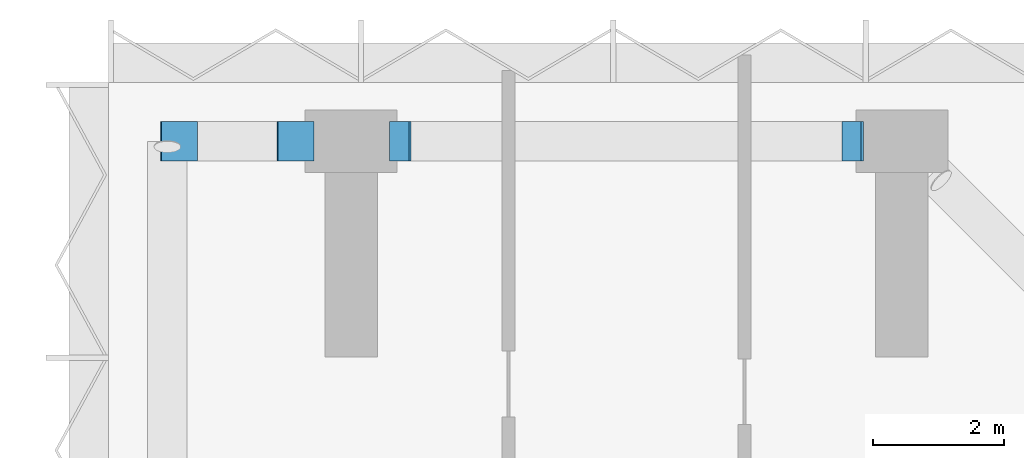
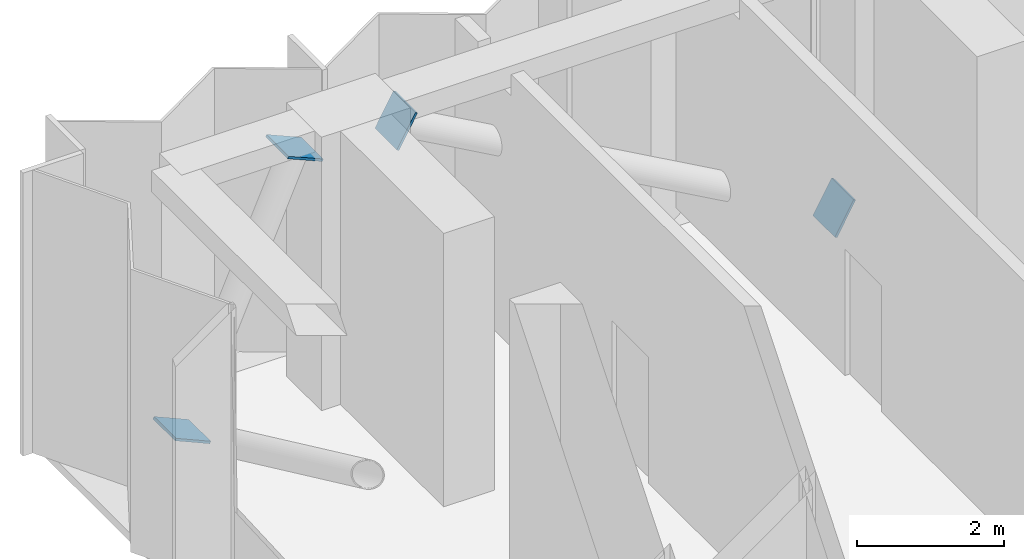
# One storey, part 8 of 13: 4 discrete accessories.
"""IFC4 building model written with IfcOpenShell, lengths in metres."""

from ifc_helpers import new_model, si_unit, direction, frame, origin, origin_2d, place, context, subcontext, project, spatial, rectangle, extrude, material, layer, layer_set, type_object, element, save


model = new_model("IFC4")

# Units and contexts
model_context = context("Model", 3, precision=1e-05, world=origin(), true_north=direction((0.0, 1.0)))
body_context = subcontext(model_context, "Body", "Model", "MODEL_VIEW")
ifc_project = project(units=[si_unit("LENGTHUNIT", "METRE"), si_unit("AREAUNIT", "SQUARE_METRE"), si_unit("VOLUMEUNIT", "CUBIC_METRE"), si_unit("PLANEANGLEUNIT", "RADIAN"), si_unit("MASSUNIT", "GRAM", prefix="KILO")], contexts=[model_context])

# Site, building, storey
site_placement = place(None, origin())
site = spatial("IfcSite", under=ifc_project, at=site_placement, CompositionType="ELEMENT")
building_placement = place(site_placement, origin())
building = spatial("IfcBuilding", under=site, at=building_placement, Name="Brevane Broadcast Tower", CompositionType="ELEMENT")
storey_placement = place(building_placement, frame((0.0, 0.0, 162.0)))
storey = spatial("IfcBuildingStorey", under=building, at=storey_placement, Name="L40", CompositionType="ELEMENT", Elevation=162.0)

# Discrete accessories
ifc_material = material(Name="Steel S355", Category="steel")
ifc_layer = layer(ifc_material, 0.0400390625)
ifc_layer_set = layer_set([ifc_layer], Name="Gusset plate 600x600x40 S355")
discrete_accessory_type = type_object("IfcDiscreteAccessoryType", Name="Gusset plate 600x600x40 S355", PredefinedType="ANCHORPLATE", material=ifc_layer_set)
discrete_accessory_1_placement = place(storey_placement, frame((16.0654296875, 50.39990234375, 0.15771484375), z_axis=(-0.871247627745, 0.0, 0.490843733941), x_axis=(0.0, -1.0, 0.0)))
element("IfcDiscreteAccessory", 1, at=discrete_accessory_1_placement, inside=storey, type_object=discrete_accessory_type, Name="Gusset plate GP2-23", PredefinedType="ANCHORPLATE", context=body_context, shape_type="SweptSolid", body=[
    extrude(rectangle(XDim=0.60009765625, YDim=0.60009765625, at=origin_2d()), origin(), (0.0, 0.0, 1.0), 0.039794921875),
])
for number, where, z_axis, x_axis, name in (
    (2, (9.16943359375, 50.39990234375, 4.022705078125), (-0.872714074517, 0.0, 0.48823165008), (0.0, -1.0, 0.0), "Gusset plate GP2-24"),
    (3, (5.770263671875, 50.39990234375, 0.04443359375), (0.402738614266, 0.0, 0.915315032423), (0.0, 1.0, 0.0), "Gusset plate GP2-32"),
):
    element("IfcDiscreteAccessory", number, at=place(storey_placement, frame(where, z_axis=z_axis, x_axis=x_axis)), inside=storey, type_object=discrete_accessory_type, Name=name, PredefinedType="ANCHORPLATE", context=body_context, shape_type="SweptSolid", body=[
        extrude(rectangle(XDim=0.60009765625, YDim=0.60009765625, at=origin_2d()), origin(), (0.0, 0.0, 1.0), 0.0400390625),
    ])
discrete_accessory_2_placement = place(storey_placement, frame((7.543701171875, 50.39990234375, 4.118896484375), z_axis=(0.397607437634, 0.0, 0.91755562531), x_axis=(0.0, 1.0, 0.0)))
element("IfcDiscreteAccessory", 4, at=discrete_accessory_2_placement, inside=storey, type_object=discrete_accessory_type, Name="Gusset plate GP2-33", PredefinedType="ANCHORPLATE", context=body_context, shape_type="SweptSolid", body=[
    extrude(rectangle(XDim=0.60009765625, YDim=0.60009765625, at=origin_2d()), origin(), (0.0, 0.0, 1.0), 0.039794921875),
])

save(model, "model.ifc")
